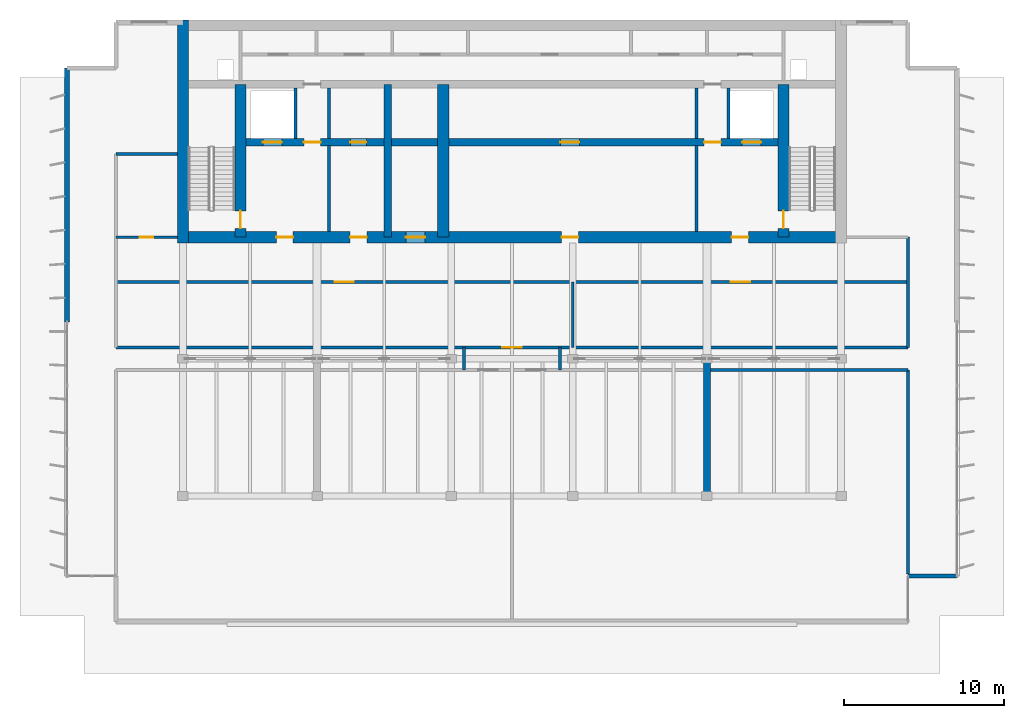
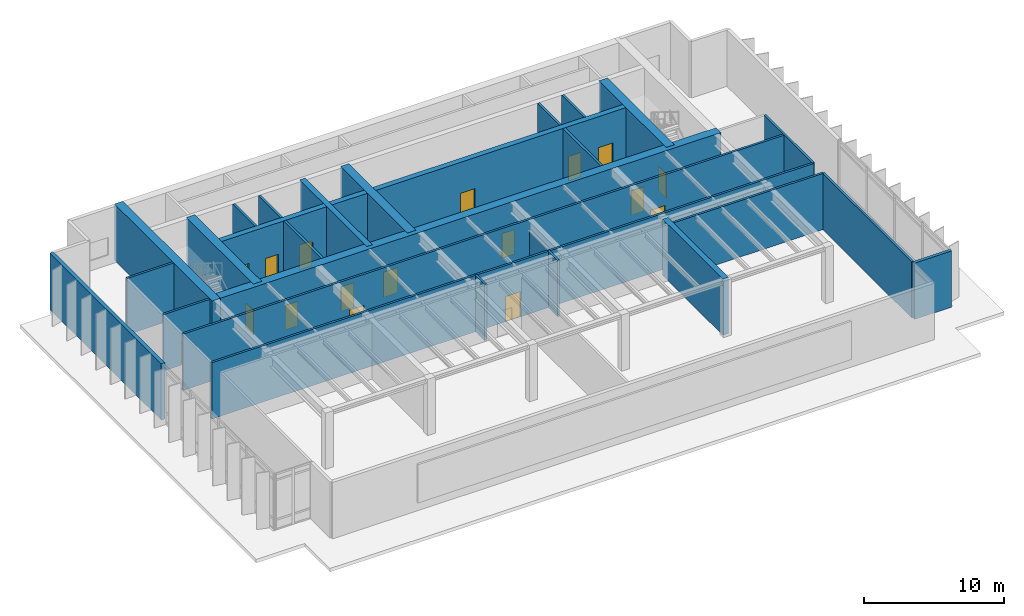
# One storey, part 6 of 12: 26 walls, 17 doors, 17 openings.
"""IFC4 building model written with IfcOpenShell, lengths in metres."""

from ifc_helpers import new_model, si_unit, direction, frame, frame_2d, origin, place, context, subcontext, project, spatial, rectangle, extrude, material, layer, layer_set, type_object, element, fill, save


model = new_model("IFC4")

# Units and contexts
model_context = context("Model", 3, precision=1e-05, world=origin(), true_north=direction((0.0, 1.0)))
body_context = subcontext(model_context, "Body", "Model", "MODEL_VIEW")
ifc_project = project(units=[si_unit("LENGTHUNIT", "METRE"), si_unit("AREAUNIT", "SQUARE_METRE"), si_unit("VOLUMEUNIT", "CUBIC_METRE"), si_unit("PLANEANGLEUNIT", "RADIAN"), si_unit("MASSUNIT", "GRAM", prefix="KILO")], contexts=[model_context])

# Site, building, storey
site_placement = place(None, origin())
site = spatial("IfcSite", under=ifc_project, at=site_placement, CompositionType="ELEMENT")
building_placement = place(site_placement, origin())
building = spatial("IfcBuilding", under=site, at=building_placement, Name="Caelmar Bay Residences", CompositionType="ELEMENT")
storey_placement = place(building_placement, frame((0.0, 0.0, 274.199951171875)))
storey = spatial("IfcBuildingStorey", under=building, at=storey_placement, Name="L77", CompositionType="ELEMENT", Elevation=274.199951171875)

# Wall, openings, doors
ifc_material_1 = material(Name="Concrete f'c 55 MPa (8,000 psi)", Category="concrete")
ifc_layer_1 = layer(ifc_material_1, 0.699951171875)
ifc_layer_set_1 = layer_set([ifc_layer_1], Name="Concrete f'c 55 MPa (8,000 psi)")
wall_type_1 = type_object("IfcWallType", Name="SW-COR-700", PredefinedType="SHEAR", material=ifc_layer_set_1)
wall_1_placement = place(storey_placement, frame((17.949951171875, 37.0, 0.0), z_axis=(0.0, 0.0, 1.0), x_axis=(1.0, 0.0, 0.0)))
wall_1 = element("IfcWall", 1, at=wall_1_placement, inside=storey, type_object=wall_type_1, Name="L77 Rear Core South Shear Wall", PredefinedType="SHEAR", context=body_context, shape_type="SweptSolid", body=[
    extrude(rectangle(XDim=41.900146484375, YDim=0.699951171875, at=frame_2d((20.9501953125, 0.0))), origin(), (0.0, 0.0, 1.0), 4.900146484375),
])
opening_1_placement = place(wall_1_placement, frame((14.3125, 0.0, 0.0)))
opening_1 = element("IfcOpeningElement", 2, at=opening_1_placement, cuts=wall_1, Name="Opening D-L77-103", PredefinedType="OPENING", context=body_context, shape_type="SweptSolid", body=[
    extrude(rectangle(XDim=1.199951171875, YDim=2.199951171875, at=frame_2d((0.60009765625, 1.10009765625))), frame((0.0, 0.35986328125, 0.0), z_axis=(0.0, -1.0, 0.0), x_axis=(1.0, 0.0, 0.0)), (0.0, 0.0, 1.0), 0.719970703125),
])
opening_2_placement = place(wall_1_placement, frame((6.199951171875, 0.0, 0.0)))
opening_2 = element("IfcOpeningElement", 3, at=opening_2_placement, cuts=wall_1, Name="Opening D-L77-104", PredefinedType="OPENING", context=body_context, shape_type="SweptSolid", body=[
    extrude(rectangle(XDim=1.050048828125, YDim=2.14990234375, at=frame_2d((0.52490234375, 1.074951171875))), frame((0.0, 0.35986328125, 0.0), z_axis=(0.0, -1.0, 0.0), x_axis=(1.0, 0.0, 0.0)), (0.0, 0.0, 1.0), 0.719970703125),
])
opening_3_placement = place(wall_1_placement, frame((34.699951171875, 0.0, 0.0)))
opening_3 = element("IfcOpeningElement", 4, at=opening_3_placement, cuts=wall_1, Name="Opening D-L77-107", PredefinedType="OPENING", context=body_context, shape_type="SweptSolid", body=[
    extrude(rectangle(XDim=1.050048828125, YDim=2.14990234375, at=frame_2d((0.52490234375, 1.074951171875))), frame((0.0, 0.35986328125, 0.0), z_axis=(0.0, -1.0, 0.0), x_axis=(1.0, 0.0, 0.0)), (0.0, 0.0, 1.0), 0.719970703125),
])
opening_4_placement = place(wall_1_placement, frame((10.8125, 0.0, 0.0)))
opening_4 = element("IfcOpeningElement", 5, at=opening_4_placement, cuts=wall_1, Name="Opening D-L77-110", PredefinedType="OPENING", context=body_context, shape_type="SweptSolid", body=[
    extrude(rectangle(XDim=1.050048828125, YDim=2.14990234375, at=frame_2d((0.52490234375, 1.074951171875))), frame((0.0, 0.35986328125, 0.0), z_axis=(0.0, -1.0, 0.0), x_axis=(1.0, 0.0, 0.0)), (0.0, 0.0, 1.0), 0.719970703125),
])
opening_5_placement = place(wall_1_placement, frame((24.050048828125, 0.0, 0.0)))
opening_5 = element("IfcOpeningElement", 6, at=opening_5_placement, cuts=wall_1, Name="Opening D-L77-112", PredefinedType="OPENING", context=body_context, shape_type="SweptSolid", body=[
    extrude(rectangle(XDim=1.050048828125, YDim=2.14990234375, at=frame_2d((0.52490234375, 1.074951171875))), frame((0.0, 0.35986328125, 0.0), z_axis=(0.0, -1.0, 0.0), x_axis=(1.0, 0.0, 0.0)), (0.0, 0.0, 1.0), 0.719970703125),
])
ifc_material_2 = material(Name="Fire-rated steel and walnut architectural door assembly", Category="steel")
ifc_layer_2 = layer(ifc_material_2, 0.050048828125)
ifc_layer_set_2 = layer_set([ifc_layer_2], Name="Fire-rated steel and walnut architectural door assembly")
door_type_1 = type_object("IfcDoorType", Name="D-FSAE-1050", OperationType="NOTDEFINED", PredefinedType="DOOR", material=ifc_layer_set_2)
door_1_placement = place(opening_2_placement, origin())
door_1 = element("IfcDoor", 7, at=door_1_placement, inside=storey, type_object=door_type_1, Name="L77 Firefighting Lobby West Door", OperationType="SINGLE_SWING_LEFT", OverallHeight=2.14990234375, OverallWidth=1.050048828125, PredefinedType="DOOR", context=body_context, shape_type="SweptSolid", body=[
    extrude(rectangle(XDim=1.050048828125, YDim=2.14990234375, at=frame_2d((0.52490234375, 1.074951171875))), frame((0.0, 0.02490234375, 0.0), z_axis=(0.0, -1.0, 0.0), x_axis=(1.0, 0.0, 0.0)), (0.0, 0.0, 1.0), 0.050048828125),
])
fill(opening_2, door_1)
door_2_placement = place(opening_3_placement, origin())
door_2 = element("IfcDoor", 8, at=door_2_placement, inside=storey, type_object=door_type_1, Name="L77 Firefighting Lobby East Door", OperationType="SINGLE_SWING_RIGHT", OverallHeight=2.14990234375, OverallWidth=1.050048828125, PredefinedType="DOOR", context=body_context, shape_type="SweptSolid", body=[
    extrude(rectangle(XDim=1.050048828125, YDim=2.14990234375, at=frame_2d((0.52490234375, 1.074951171875))), frame((0.0, 0.02490234375, 0.0), z_axis=(0.0, -1.0, 0.0), x_axis=(1.0, 0.0, 0.0)), (0.0, 0.0, 1.0), 0.050048828125),
])
fill(opening_3, door_2)
door_3_placement = place(opening_4_placement, origin())
door_3 = element("IfcDoor", 9, at=door_3_placement, inside=storey, type_object=door_type_1, Name="L77 West Lift Lobby Door", OperationType="SINGLE_SWING_LEFT", OverallHeight=2.14990234375, OverallWidth=1.050048828125, PredefinedType="DOOR", context=body_context, shape_type="SweptSolid", body=[
    extrude(rectangle(XDim=1.050048828125, YDim=2.14990234375, at=frame_2d((0.52490234375, 1.074951171875))), frame((0.0, 0.02490234375, 0.0), z_axis=(0.0, -1.0, 0.0), x_axis=(1.0, 0.0, 0.0)), (0.0, 0.0, 1.0), 0.050048828125),
])
fill(opening_4, door_3)
door_4_placement = place(opening_5_placement, origin())
door_4 = element("IfcDoor", 10, at=door_4_placement, inside=storey, type_object=door_type_1, Name="L77 Passenger Lift Lobby Door", OperationType="SINGLE_SWING_LEFT", OverallHeight=2.14990234375, OverallWidth=1.050048828125, PredefinedType="DOOR", context=body_context, shape_type="SweptSolid", body=[
    extrude(rectangle(XDim=1.050048828125, YDim=2.14990234375, at=frame_2d((0.52490234375, 1.074951171875))), frame((0.0, 0.02490234375, 0.0), z_axis=(0.0, -1.0, 0.0), x_axis=(1.0, 0.0, 0.0)), (0.0, 0.0, 1.0), 0.050048828125),
])
fill(opening_5, door_4)
ifc_layer_3 = layer(ifc_material_2, 0.050048828125)
ifc_layer_set_3 = layer_set([ifc_layer_3], Name="Fire-rated steel and walnut architectural door assembly")
door_type_2 = type_object("IfcDoorType", Name="D-PLANT-1200", OperationType="NOTDEFINED", PredefinedType="DOOR", material=ifc_layer_set_3)
door_5_placement = place(opening_1_placement, origin())
door_5 = element("IfcDoor", 11, at=door_5_placement, inside=storey, type_object=door_type_2, Name="L77 Crown Pressurisation Fan Room Door", OperationType="SINGLE_SWING_RIGHT", OverallHeight=2.199951171875, OverallWidth=1.199951171875, PredefinedType="DOOR", context=body_context, shape_type="SweptSolid", body=[
    extrude(rectangle(XDim=1.199951171875, YDim=2.199951171875, at=frame_2d((0.60009765625, 1.10009765625))), frame((0.0, 0.02490234375, 0.0), z_axis=(0.0, -1.0, 0.0), x_axis=(1.0, 0.0, 0.0)), (0.0, 0.0, 1.0), 0.050048828125),
])
fill(opening_1, door_5)

# Wall
wall_2_placement = place(storey_placement, frame((18.300048828125, 36.64990234375, 0.0), z_axis=(0.0, 0.0, 1.0), x_axis=(0.0, 1.0, 0.0)))
element("IfcWall", 12, at=wall_2_placement, inside=storey, type_object=wall_type_1, Name="L77 Rear Core West Shear Wall", PredefinedType="SHEAR", context=body_context, shape_type="SweptSolid", body=[
    extrude(rectangle(XDim=13.9501953125, YDim=0.699951171875, at=frame_2d((6.97509765625, 0.0))), origin(), (0.0, 0.0, 1.0), 4.900146484375),
])

# Wall, opening, door
wall_3_placement = place(storey_placement, frame((21.89990234375, 37.0, 0.0), z_axis=(0.0, 0.0, 1.0), x_axis=(0.0, 1.0, 0.0)))
wall_3 = element("IfcWall", 13, at=wall_3_placement, inside=storey, type_object=wall_type_1, Name="L77 Core Structural Web Wall ST1E", PredefinedType="SHEAR", context=body_context, shape_type="SweptSolid", body=[
    extrude(rectangle(XDim=9.574951171875, YDim=0.699951171875, at=frame_2d((4.78759765625, 0.0))), origin(), (0.0, 0.0, 1.0), 4.900146484375),
])
opening_6_placement = place(wall_3_placement, frame((0.550048828125, 0.0, 0.0)))
opening_6 = element("IfcOpeningElement", 14, at=opening_6_placement, cuts=wall_3, Name="Opening D-L77-105", PredefinedType="OPENING", context=body_context, shape_type="SweptSolid", body=[
    extrude(rectangle(XDim=1.10009765625, YDim=2.14990234375, at=frame_2d((0.550048828125, 1.074951171875))), frame((0.0, 0.35986328125, 0.0), z_axis=(0.0, -1.0, 0.0), x_axis=(1.0, 0.0, 0.0)), (0.0, 0.0, 1.0), 0.719970703125),
])
ifc_layer_4 = layer(ifc_material_2, 0.050048828125)
ifc_layer_set_4 = layer_set([ifc_layer_4], Name="Fire-rated steel and walnut architectural door assembly")
door_type_3 = type_object("IfcDoorType", Name="D-STAIR-1100", OperationType="NOTDEFINED", PredefinedType="DOOR", material=ifc_layer_set_4)
door_6_placement = place(opening_6_placement, origin())
door_6 = element("IfcDoor", 15, at=door_6_placement, inside=storey, type_object=door_type_3, Name="L77 Firefighting Lobby West Door", OperationType="SINGLE_SWING_RIGHT", OverallHeight=2.14990234375, OverallWidth=1.10009765625, PredefinedType="DOOR", context=body_context, shape_type="SweptSolid", body=[
    extrude(rectangle(XDim=1.10009765625, YDim=2.14990234375, at=frame_2d((0.550048828125, 1.074951171875))), frame((0.0, 0.02490234375, 0.0), z_axis=(0.0, -1.0, 0.0), x_axis=(1.0, 0.0, 0.0)), (0.0, 0.0, 1.0), 0.050048828125),
])
fill(opening_6, door_6)

wall_4_placement = place(storey_placement, frame((55.89990234375, 37.0, 0.0), z_axis=(0.0, 0.0, 1.0), x_axis=(0.0, 1.0, 0.0)))
wall_4 = element("IfcWall", 16, at=wall_4_placement, inside=storey, type_object=wall_type_1, Name="L77 Core Structural Web Wall ST2W", PredefinedType="SHEAR", context=body_context, shape_type="SweptSolid", body=[
    extrude(rectangle(XDim=9.574951171875, YDim=0.699951171875, at=frame_2d((4.78759765625, 0.0))), origin(), (0.0, 0.0, 1.0), 4.900146484375),
])
opening_7_placement = place(wall_4_placement, frame((0.550048828125, 0.0, 0.0)))
opening_7 = element("IfcOpeningElement", 17, at=opening_7_placement, cuts=wall_4, Name="Opening D-L77-108", PredefinedType="OPENING", context=body_context, shape_type="SweptSolid", body=[
    extrude(rectangle(XDim=1.10009765625, YDim=2.14990234375, at=frame_2d((0.550048828125, 1.074951171875))), frame((0.0, 0.35986328125, 0.0), z_axis=(0.0, -1.0, 0.0), x_axis=(1.0, 0.0, 0.0)), (0.0, 0.0, 1.0), 0.719970703125),
])
door_7_placement = place(opening_7_placement, origin())
door_7 = element("IfcDoor", 18, at=door_7_placement, inside=storey, type_object=door_type_3, Name="L77 Firefighting Lobby East Door", OperationType="SINGLE_SWING_LEFT", OverallHeight=2.14990234375, OverallWidth=1.10009765625, PredefinedType="DOOR", context=body_context, shape_type="SweptSolid", body=[
    extrude(rectangle(XDim=1.10009765625, YDim=2.14990234375, at=frame_2d((0.550048828125, 1.074951171875))), frame((0.0, 0.02490234375, 0.0), z_axis=(0.0, -1.0, 0.0), x_axis=(1.0, 0.0, 0.0)), (0.0, 0.0, 1.0), 0.050048828125),
])
fill(opening_7, door_7)

# Walls
wall_5_placement = place(storey_placement, frame((34.60009765625, 37.0, 0.0), z_axis=(0.0, 0.0, 1.0), x_axis=(0.0, 1.0, 0.0)))
element("IfcWall", 19, at=wall_5_placement, inside=storey, type_object=wall_type_1, Name="L77 Core Structural Web Wall ST3E", PredefinedType="SHEAR", context=body_context, shape_type="SweptSolid", body=[
    extrude(rectangle(XDim=9.574951171875, YDim=0.699951171875, at=frame_2d((4.78759765625, 0.0))), origin(), (0.0, 0.0, 1.0), 4.900146484375),
])
ifc_material_3 = material(Name="Concrete f'c 70 MPa (10,000 psi)", Category="concrete")
ifc_layer_5 = layer(ifc_material_3, 0.449951171875)
ifc_layer_set_5 = layer_set([ifc_layer_5], Name="Concrete f'c 70 MPa (10,000 psi)")
wall_type_2 = type_object("IfcWallType", Name="SW-WEB-450", PredefinedType="SHEAR", material=ifc_layer_set_5)
wall_6_placement = place(storey_placement, frame((31.125, 37.0, 0.0), z_axis=(0.0, 0.0, 1.0), x_axis=(0.0, 1.0, 0.0)))
element("IfcWall", 20, at=wall_6_placement, inside=storey, type_object=wall_type_2, Name="L77 Core Structural Web Wall ST3W", PredefinedType="SHEAR", context=body_context, shape_type="SweptSolid", body=[
    extrude(rectangle(XDim=9.574951171875, YDim=0.449951171875, at=frame_2d((4.78759765625, 0.0))), origin(), (0.0, 0.0, 1.0), 4.900146484375),
])

# Wall, openings, doors
wall_7_placement = place(storey_placement, frame((22.25, 42.949951171875, 0.0), z_axis=(0.0, 0.0, 1.0), x_axis=(1.0, 0.0, 0.0)))
wall_7 = element("IfcWall", 21, at=wall_7_placement, inside=storey, type_object=wall_type_2, Name="L77 Core Structural Web Wall LFR", PredefinedType="SHEAR", context=body_context, shape_type="SweptSolid", body=[
    extrude(rectangle(XDim=33.300048828125, YDim=0.449951171875, at=frame_2d((16.64990234375, 0.0))), origin(), (0.0, 0.0, 1.0), 4.900146484375),
])
opening_8_placement = place(wall_7_placement, frame((1.050048828125, 0.0, 0.0)))
opening_8 = element("IfcOpeningElement", 22, at=opening_8_placement, cuts=wall_7, Name="Opening LD2", PredefinedType="OPENING", context=body_context, shape_type="SweptSolid", body=[
    extrude(rectangle(XDim=1.199951171875, YDim=2.199951171875, at=frame_2d((0.60009765625, 1.10009765625))), frame((0.0, 0.23486328125, 0.0), z_axis=(0.0, -1.0, 0.0), x_axis=(1.0, 0.0, 0.0)), (0.0, 0.0, 1.0), 0.469970703125),
])
opening_9_placement = place(wall_7_placement, frame((31.050048828125, 0.0, 0.0)))
opening_9 = element("IfcOpeningElement", 23, at=opening_9_placement, cuts=wall_7, Name="Opening LD2", PredefinedType="OPENING", context=body_context, shape_type="SweptSolid", body=[
    extrude(rectangle(XDim=1.199951171875, YDim=2.199951171875, at=frame_2d((0.60009765625, 1.10009765625))), frame((0.0, 0.23486328125, 0.0), z_axis=(0.0, -1.0, 0.0), x_axis=(1.0, 0.0, 0.0)), (0.0, 0.0, 1.0), 0.469970703125),
])
opening_10_placement = place(wall_7_placement, frame((3.625, 0.0, 0.0)))
opening_10 = element("IfcOpeningElement", 24, at=opening_10_placement, cuts=wall_7, Name="Opening D-L77-106", PredefinedType="OPENING", context=body_context, shape_type="SweptSolid", body=[
    extrude(rectangle(XDim=1.050048828125, YDim=2.14990234375, at=frame_2d((0.52490234375, 1.074951171875))), frame((0.0, 0.23486328125, 0.0), z_axis=(0.0, -1.0, 0.0), x_axis=(1.0, 0.0, 0.0)), (0.0, 0.0, 1.0), 0.469970703125),
])
opening_11_placement = place(wall_7_placement, frame((28.675048828125, 0.0, 0.0)))
opening_11 = element("IfcOpeningElement", 25, at=opening_11_placement, cuts=wall_7, Name="Opening D-L77-109", PredefinedType="OPENING", context=body_context, shape_type="SweptSolid", body=[
    extrude(rectangle(XDim=1.050048828125, YDim=2.14990234375, at=frame_2d((0.52490234375, 1.074951171875))), frame((0.0, 0.23486328125, 0.0), z_axis=(0.0, -1.0, 0.0), x_axis=(1.0, 0.0, 0.0)), (0.0, 0.0, 1.0), 0.469970703125),
])
opening_12_placement = place(wall_7_placement, frame((6.53759765625, 0.0, 0.0)))
opening_12 = element("IfcOpeningElement", 26, at=opening_12_placement, cuts=wall_7, Name="Opening D-L77-111", PredefinedType="OPENING", context=body_context, shape_type="SweptSolid", body=[
    extrude(rectangle(XDim=1.0, YDim=2.199951171875, at=frame_2d((0.5, 1.10009765625))), frame((0.0, 0.23486328125, 0.0), z_axis=(0.0, -1.0, 0.0), x_axis=(1.0, 0.0, 0.0)), (0.0, 0.0, 1.0), 0.469970703125),
])
opening_13_placement = place(wall_7_placement, frame((19.675048828125, 0.0, 0.0)))
opening_13 = element("IfcOpeningElement", 27, at=opening_13_placement, cuts=wall_7, Name="Opening D-L77-113", PredefinedType="OPENING", context=body_context, shape_type="SweptSolid", body=[
    extrude(rectangle(XDim=1.199951171875, YDim=2.199951171875, at=frame_2d((0.60009765625, 1.10009765625))), frame((0.0, 0.23486328125, 0.0), z_axis=(0.0, -1.0, 0.0), x_axis=(1.0, 0.0, 0.0)), (0.0, 0.0, 1.0), 0.469970703125),
])
door_8_placement = place(opening_10_placement, origin())
door_8 = element("IfcDoor", 28, at=door_8_placement, inside=storey, type_object=door_type_1, Name="L77 Firefighting Lobby West Door", OperationType="SINGLE_SWING_LEFT", OverallHeight=2.14990234375, OverallWidth=1.050048828125, PredefinedType="DOOR", context=body_context, shape_type="SweptSolid", body=[
    extrude(rectangle(XDim=1.050048828125, YDim=2.14990234375, at=frame_2d((0.52490234375, 1.074951171875))), frame((0.0, 0.02490234375, 0.0), z_axis=(0.0, -1.0, 0.0), x_axis=(1.0, 0.0, 0.0)), (0.0, 0.0, 1.0), 0.050048828125),
])
fill(opening_10, door_8)
door_9_placement = place(opening_11_placement, origin())
door_9 = element("IfcDoor", 29, at=door_9_placement, inside=storey, type_object=door_type_1, Name="L77 Firefighting Lobby East Door", OperationType="SINGLE_SWING_RIGHT", OverallHeight=2.14990234375, OverallWidth=1.050048828125, PredefinedType="DOOR", context=body_context, shape_type="SweptSolid", body=[
    extrude(rectangle(XDim=1.050048828125, YDim=2.14990234375, at=frame_2d((0.52490234375, 1.074951171875))), frame((0.0, 0.02490234375, 0.0), z_axis=(0.0, -1.0, 0.0), x_axis=(1.0, 0.0, 0.0)), (0.0, 0.0, 1.0), 0.050048828125),
])
fill(opening_11, door_9)
ifc_material_4 = material(Name="Brushed stainless-steel FSAE sliding landing door", Category="steel")
ifc_layer_6 = layer(ifc_material_4, 0.050048828125)
ifc_layer_set_6 = layer_set([ifc_layer_6], Name="Brushed stainless-steel FSAE sliding landing door")
door_type_4 = type_object("IfcDoorType", Name="D-LND-1200", OperationType="DOUBLE_DOOR_SLIDING", PredefinedType="DOOR", material=ifc_layer_set_6)
door_10_placement = place(opening_8_placement, origin())
door_10 = element("IfcDoor", 30, at=door_10_placement, inside=storey, type_object=door_type_4, Name="L77 LF1 Sliding Landing Door", OperationType="DOUBLE_DOOR_SLIDING", OverallHeight=2.199951171875, OverallWidth=1.199951171875, PredefinedType="DOOR", context=body_context, shape_type="SweptSolid", body=[
    extrude(rectangle(XDim=1.199951171875, YDim=2.199951171875, at=frame_2d((0.60009765625, 1.10009765625))), frame((0.0, 0.02490234375, 0.0), z_axis=(0.0, -1.0, 0.0), x_axis=(1.0, 0.0, 0.0)), (0.0, 0.0, 1.0), 0.050048828125),
])
fill(opening_8, door_10)
door_11_placement = place(opening_9_placement, origin())
door_11 = element("IfcDoor", 31, at=door_11_placement, inside=storey, type_object=door_type_4, Name="L77 LF2 Sliding Landing Door", OperationType="DOUBLE_DOOR_SLIDING", OverallHeight=2.199951171875, OverallWidth=1.199951171875, PredefinedType="DOOR", context=body_context, shape_type="SweptSolid", body=[
    extrude(rectangle(XDim=1.199951171875, YDim=2.199951171875, at=frame_2d((0.60009765625, 1.10009765625))), frame((0.0, 0.02490234375, 0.0), z_axis=(0.0, -1.0, 0.0), x_axis=(1.0, 0.0, 0.0)), (0.0, 0.0, 1.0), 0.050048828125),
])
fill(opening_9, door_11)
door_12_placement = place(opening_13_placement, origin())
door_12 = element("IfcDoor", 32, at=door_12_placement, inside=storey, type_object=door_type_2, Name="L77 Lift Machine Plant Room Door", OperationType="SINGLE_SWING_RIGHT", OverallHeight=2.199951171875, OverallWidth=1.199951171875, PredefinedType="DOOR", context=body_context, shape_type="SweptSolid", body=[
    extrude(rectangle(XDim=1.199951171875, YDim=2.199951171875, at=frame_2d((0.60009765625, 1.10009765625))), frame((0.0, 0.02490234375, 0.0), z_axis=(0.0, -1.0, 0.0), x_axis=(1.0, 0.0, 0.0)), (0.0, 0.0, 1.0), 0.050048828125),
])
fill(opening_13, door_12)
ifc_layer_7 = layer(ifc_material_2, 0.050048828125)
ifc_layer_set_7 = layer_set([ifc_layer_7], Name="Fire-rated steel and walnut architectural door assembly")
door_type_5 = type_object("IfcDoorType", Name="D-UNIT-1000", OperationType="NOTDEFINED", PredefinedType="DOOR", material=ifc_layer_set_7)
door_13_placement = place(opening_12_placement, origin())
door_13 = element("IfcDoor", 33, at=door_13_placement, inside=storey, type_object=door_type_5, Name="L77 Core Equipment Closet Door", OperationType="SINGLE_SWING_RIGHT", OverallHeight=2.199951171875, OverallWidth=1.0, PredefinedType="DOOR", context=body_context, shape_type="SweptSolid", body=[
    extrude(rectangle(XDim=1.0, YDim=2.199951171875, at=frame_2d((0.5, 1.10009765625))), frame((0.0, 0.02490234375, 0.0), z_axis=(0.0, -1.0, 0.0), x_axis=(1.0, 0.0, 0.0)), (0.0, 0.0, 1.0), 0.050048828125),
])
fill(opening_12, door_13)

# Walls
ifc_layer_8 = layer(ifc_material_1, 0.449951171875)
ifc_layer_set_8 = layer_set([ifc_layer_8], Name="Concrete f'c 55 MPa (8,000 psi)")
wall_type_3 = type_object("IfcWallType", Name="SW-XSLB-450", PredefinedType="SHEAR", material=ifc_layer_set_8)
wall_8_placement = place(storey_placement, frame((51.10009765625, 20.800048828125, 0.0), z_axis=(0.0, 0.0, 1.0), x_axis=(0.0, 1.0, 0.0)))
element("IfcWall", 34, at=wall_8_placement, inside=storey, type_object=wall_type_3, Name="L77 Transverse Cross-Slab Shear Wall E8", PredefinedType="SHEAR", context=body_context, shape_type="SweptSolid", body=[
    extrude(rectangle(XDim=8.599853515625, YDim=0.449951171875, at=frame_2d((4.2998046875, 0.0))), origin(), (0.0, 0.0, 1.0), 4.900146484375),
])
ifc_material_5 = material(Name="Double-stud acoustic fire-rated gypsum partition 180 mm")
ifc_layer_9 = layer(ifc_material_5, 0.179931640625)
ifc_layer_set_9 = layer_set([ifc_layer_9], Name="Double-stud acoustic fire-rated gypsum partition 180 mm")
wall_type_4 = type_object("IfcWallType", Name="W-COR-200", PredefinedType="PARTITIONING", material=ifc_layer_set_9)
wall_9_placement = place(storey_placement, frame((27.449951171875, 43.169921875, 0.0), z_axis=(0.0, 0.0, 1.0), x_axis=(0.0, 1.0, 0.0)))
element("IfcWall", 35, at=wall_9_placement, inside=storey, type_object=wall_type_4, Name="L77 Partition Wall V007", PredefinedType="PARTITIONING", context=body_context, shape_type="SweptSolid", body=[
    extrude(rectangle(XDim=3.18505859375, YDim=0.179931640625, at=frame_2d((1.592529296875, 0.0))), origin(), (0.0, 0.0, 1.0), 4.900146484375),
])
for number, where, z_axis, x_axis, name in (
    (36, (35.89990234375, 28.699951171875, 0.0), (0.0, 0.0, 1.0), (0.0, 1.0, 0.0), "L77 Partition Wall V009"),
    (37, (41.89990234375, 28.699951171875, 0.0), (0.0, 0.0, 1.0), (0.0, 1.0, 0.0), "L77 Partition Wall V012"),
):
    element("IfcWall", number, at=place(storey_placement, frame(where, z_axis=z_axis, x_axis=x_axis)), inside=storey, type_object=wall_type_4, Name=name, PredefinedType="PARTITIONING", context=body_context, shape_type="SweptSolid", body=[
        extrude(rectangle(XDim=1.400146484375, YDim=0.179931640625, at=frame_2d((0.7001953125, 0.0))), origin(), (0.0, 0.0, 1.0), 4.900146484375),
    ])
wall_10_placement = place(storey_placement, frame((42.699951171875, 30.10009765625, 0.0), z_axis=(0.0, 0.0, 1.0), x_axis=(0.0, 1.0, 0.0)))
element("IfcWall", 38, at=wall_10_placement, inside=storey, type_object=wall_type_4, Name="L77 Partition Wall V013", PredefinedType="PARTITIONING", context=body_context, shape_type="SweptSolid", body=[
    extrude(rectangle(XDim=4.099853515625, YDim=0.179931640625, at=frame_2d((2.0498046875, 0.0))), origin(), (0.0, 0.0, 1.0), 3.9599609375),
])
wall_11_placement = place(storey_placement, frame((50.449951171875, 43.169921875, 0.0), z_axis=(0.0, 0.0, 1.0), x_axis=(0.0, 1.0, 0.0)))
element("IfcWall", 39, at=wall_11_placement, inside=storey, type_object=wall_type_4, Name="L77 Partition Wall V016", PredefinedType="PARTITIONING", context=body_context, shape_type="SweptSolid", body=[
    extrude(rectangle(XDim=3.18505859375, YDim=0.179931640625, at=frame_2d((1.592529296875, 0.0))), origin(), (0.0, 0.0, 1.0), 4.900146484375),
])
wall_12_placement = place(storey_placement, frame((63.699951171875, 15.919921875, 0.0), z_axis=(0.0, 0.0, 1.0), x_axis=(0.0, 1.0, 0.0)))
element("IfcWall", 40, at=wall_12_placement, inside=storey, type_object=wall_type_4, Name="L77 Partition Wall V020", PredefinedType="PARTITIONING", context=body_context, shape_type="SweptSolid", body=[
    extrude(rectangle(XDim=12.780029296875, YDim=0.179931640625, at=frame_2d((6.39013671875, 0.0))), origin(), (0.0, 0.0, 1.0), 4.900146484375),
])
wall_13_placement = place(storey_placement, frame((63.699951171875, 30.10009765625, 0.0), z_axis=(0.0, 0.0, 1.0), x_axis=(0.0, 1.0, 0.0)))
element("IfcWall", 41, at=wall_13_placement, inside=storey, type_object=wall_type_4, Name="L77 Partition Wall V021", PredefinedType="PARTITIONING", context=body_context, shape_type="SweptSolid", body=[
    extrude(rectangle(XDim=6.89990234375, YDim=0.179931640625, at=frame_2d((3.449951171875, 0.0))), origin(), (0.0, 0.0, 1.0), 4.900146484375),
])
wall_14_placement = place(storey_placement, frame((51.320068359375, 28.699951171875, 0.0), z_axis=(0.0, 0.0, 1.0), x_axis=(1.0, 0.0, 0.0)))
element("IfcWall", 42, at=wall_14_placement, inside=storey, type_object=wall_type_4, Name="L77 Partition Wall H024", PredefinedType="PARTITIONING", context=body_context, shape_type="SweptSolid", body=[
    extrude(rectangle(XDim=12.3798828125, YDim=0.179931640625, at=frame_2d((6.18994140625, 0.0))), origin(), (0.0, 0.0, 1.0), 4.900146484375),
])

# Wall, opening, door
wall_15_placement = place(storey_placement, frame((14.10009765625, 30.10009765625, 0.0), z_axis=(0.0, 0.0, 1.0), x_axis=(1.0, 0.0, 0.0)))
wall_15 = element("IfcWall", 43, at=wall_15_placement, inside=storey, type_object=wall_type_4, Name="L77 Partition Wall H025", PredefinedType="PARTITIONING", context=body_context, shape_type="SweptSolid", body=[
    extrude(rectangle(XDim=49.599853515625, YDim=0.179931640625, at=frame_2d((24.7998046875, 0.0))), origin(), (0.0, 0.0, 1.0), 4.900146484375),
])
opening_14_placement = place(wall_15_placement, frame((24.199951171875, 0.0, 0.0)))
opening_14 = element("IfcOpeningElement", 44, at=opening_14_placement, cuts=wall_15, Name="Opening D-L77-124", PredefinedType="OPENING", context=body_context, shape_type="SweptSolid", body=[
    extrude(rectangle(XDim=1.199951171875, YDim=2.199951171875, at=frame_2d((0.60009765625, 1.10009765625))), frame((0.0, 0.099853515625, 0.0), z_axis=(0.0, -1.0, 0.0), x_axis=(1.0, 0.0, 0.0)), (0.0, 0.0, 1.0), 0.199951171875),
])
door_14_placement = place(opening_14_placement, origin())
door_14 = element("IfcDoor", 45, at=door_14_placement, inside=storey, type_object=door_type_2, Name="L77 Crown Duct Plant Room L77 Door", OperationType="SINGLE_SWING_LEFT", OverallHeight=2.199951171875, OverallWidth=1.199951171875, PredefinedType="DOOR", context=body_context, shape_type="SweptSolid", body=[
    extrude(rectangle(XDim=1.199951171875, YDim=2.199951171875, at=frame_2d((0.60009765625, 1.10009765625))), frame((0.0, 0.02490234375, 0.0), z_axis=(0.0, -1.0, 0.0), x_axis=(1.0, 0.0, 0.0)), (0.0, 0.0, 1.0), 0.050048828125),
])
fill(opening_14, door_14)

# Wall, openings, doors
wall_16_placement = place(storey_placement, frame((14.10009765625, 34.199951171875, 0.0), z_axis=(0.0, 0.0, 1.0), x_axis=(1.0, 0.0, 0.0)))
wall_16 = element("IfcWall", 46, at=wall_16_placement, inside=storey, type_object=wall_type_4, Name="L77 Partition Wall H026", PredefinedType="PARTITIONING", context=body_context, shape_type="SweptSolid", body=[
    extrude(rectangle(XDim=49.599853515625, YDim=0.179931640625, at=frame_2d((24.7998046875, 0.0))), origin(), (0.0, 0.0, 1.0), 4.900146484375),
])
opening_15_placement = place(wall_16_placement, frame((13.699951171875, 0.0, 0.0)))
opening_15 = element("IfcOpeningElement", 47, at=opening_15_placement, cuts=wall_16, Name="Opening D-L77-122", PredefinedType="OPENING", context=body_context, shape_type="SweptSolid", body=[
    extrude(rectangle(XDim=1.199951171875, YDim=2.199951171875, at=frame_2d((0.60009765625, 1.10009765625))), frame((0.0, 0.099853515625, 0.0), z_axis=(0.0, -1.0, 0.0), x_axis=(1.0, 0.0, 0.0)), (0.0, 0.0, 1.0), 0.199951171875),
])
opening_16_placement = place(wall_16_placement, frame((38.5, 0.0, 0.0)))
opening_16 = element("IfcOpeningElement", 48, at=opening_16_placement, cuts=wall_16, Name="Opening D-L77-123", PredefinedType="OPENING", context=body_context, shape_type="SweptSolid", body=[
    extrude(rectangle(XDim=1.199951171875, YDim=2.199951171875, at=frame_2d((0.60009765625, 1.10009765625))), frame((0.0, 0.099853515625, 0.0), z_axis=(0.0, -1.0, 0.0), x_axis=(1.0, 0.0, 0.0)), (0.0, 0.0, 1.0), 0.199951171875),
])
door_15_placement = place(opening_15_placement, origin())
door_15 = element("IfcDoor", 49, at=door_15_placement, inside=storey, type_object=door_type_2, Name="L77 Crown Ventilation Plant Room L77 Door", OperationType="SINGLE_SWING_LEFT", OverallHeight=2.199951171875, OverallWidth=1.199951171875, PredefinedType="DOOR", context=body_context, shape_type="SweptSolid", body=[
    extrude(rectangle(XDim=1.199951171875, YDim=2.199951171875, at=frame_2d((0.60009765625, 1.10009765625))), frame((0.0, 0.02490234375, 0.0), z_axis=(0.0, -1.0, 0.0), x_axis=(1.0, 0.0, 0.0)), (0.0, 0.0, 1.0), 0.050048828125),
])
fill(opening_15, door_15)
door_16_placement = place(opening_16_placement, origin())
door_16 = element("IfcDoor", 50, at=door_16_placement, inside=storey, type_object=door_type_2, Name="L77 Crown Standby Controls Plant Room L77 Door", OperationType="SINGLE_SWING_RIGHT", OverallHeight=2.199951171875, OverallWidth=1.199951171875, PredefinedType="DOOR", context=body_context, shape_type="SweptSolid", body=[
    extrude(rectangle(XDim=1.199951171875, YDim=2.199951171875, at=frame_2d((0.60009765625, 1.10009765625))), frame((0.0, 0.02490234375, 0.0), z_axis=(0.0, -1.0, 0.0), x_axis=(1.0, 0.0, 0.0)), (0.0, 0.0, 1.0), 0.050048828125),
])
fill(opening_16, door_16)

# Wall, opening, door
wall_17_placement = place(storey_placement, frame((14.10009765625, 37.0, 0.0), z_axis=(0.0, 0.0, 1.0), x_axis=(1.0, 0.0, 0.0)))
wall_17 = element("IfcWall", 51, at=wall_17_placement, inside=storey, type_object=wall_type_4, Name="L77 Partition Wall H027", PredefinedType="PARTITIONING", context=body_context, shape_type="SweptSolid", body=[
    extrude(rectangle(XDim=3.844970703125, YDim=0.179931640625, at=frame_2d((1.92236328125, 0.0))), origin(), (0.0, 0.0, 1.0), 4.900146484375),
])
opening_17_placement = place(wall_17_placement, frame((1.49755859375, 0.0, 0.0)))
opening_17 = element("IfcOpeningElement", 52, at=opening_17_placement, cuts=wall_17, Name="Opening D-L77-127", PredefinedType="OPENING", context=body_context, shape_type="SweptSolid", body=[
    extrude(rectangle(XDim=0.85009765625, YDim=2.10009765625, at=frame_2d((0.425048828125, 1.050048828125))), frame((0.0, 0.099853515625, 0.0), z_axis=(0.0, -1.0, 0.0), x_axis=(1.0, 0.0, 0.0)), (0.0, 0.0, 1.0), 0.199951171875),
])
ifc_material_6 = material(Name="Solid walnut timber interior door leaf and frame", Category="wood")
ifc_layer_10 = layer(ifc_material_6, 0.050048828125)
ifc_layer_set_10 = layer_set([ifc_layer_10], Name="Solid walnut timber interior door leaf and frame")
door_type_6 = type_object("IfcDoorType", Name="D-BATH-850", OperationType="NOTDEFINED", PredefinedType="DOOR", material=ifc_layer_set_10)
door_17_placement = place(opening_17_placement, origin())
door_17 = element("IfcDoor", 53, at=door_17_placement, inside=storey, type_object=door_type_6, Name="L77 Crown Accessible WC Door", OperationType="SINGLE_SWING_RIGHT", OverallHeight=2.10009765625, OverallWidth=0.85009765625, PredefinedType="DOOR", context=body_context, shape_type="SweptSolid", body=[
    extrude(rectangle(XDim=0.85009765625, YDim=2.10009765625, at=frame_2d((0.425048828125, 1.050048828125))), frame((0.0, 0.02490234375, 0.0), z_axis=(0.0, -1.0, 0.0), x_axis=(1.0, 0.0, 0.0)), (0.0, 0.0, 1.0), 0.050048828125),
])
fill(opening_17, door_17)

# Walls
wall_18_placement = place(storey_placement, frame((14.10009765625, 42.199951171875, 0.0), z_axis=(0.0, 0.0, 1.0), x_axis=(1.0, 0.0, 0.0)))
element("IfcWall", 54, at=wall_18_placement, inside=storey, type_object=wall_type_4, Name="L77 Partition Wall H029", PredefinedType="PARTITIONING", context=body_context, shape_type="SweptSolid", body=[
    extrude(rectangle(XDim=3.85498046875, YDim=0.179931640625, at=frame_2d((1.927490234375, 0.0))), origin(), (0.0, 0.0, 1.0), 4.900146484375),
])
ifc_material_7 = material(Name="Precast concrete f'c 40 MPa (6,000 psi)", Category="concrete")
ifc_layer_11 = layer(ifc_material_7, 0.25)
ifc_layer_set_11 = layer_set([ifc_layer_11], Name="Precast concrete f'c 40 MPa (6,000 psi)")
wall_type_5 = type_object("IfcWallType", Name="W-EXT-250", PredefinedType="ELEMENTEDWALL", material=ifc_layer_set_11)
wall_19_placement = place(storey_placement, frame((63.699951171875, 15.800048828125, 0.0), z_axis=(0.0, 0.0, 1.0), x_axis=(1.0, 0.0, 0.0)))
element("IfcWall", 55, at=wall_19_placement, inside=storey, type_object=wall_type_5, Name="L77 SE Notch Return Wall", PredefinedType="ELEMENTEDWALL", context=body_context, shape_type="SweptSolid", body=[
    extrude(rectangle(XDim=3.050048828125, YDim=0.25, at=frame_2d((1.52490234375, 0.0))), origin(), (0.0, 0.0, 1.0), 4.900146484375),
])
ifc_layer_12 = layer(ifc_material_7, 0.300048828125)
ifc_layer_set_12 = layer_set([ifc_layer_12], Name="Precast concrete f'c 40 MPa (6,000 psi)")
wall_type_6 = type_object("IfcWallType", Name="W-EXT-300", PredefinedType="STANDARD", material=ifc_layer_set_12)
wall_20_placement = place(storey_placement, frame((11.050048828125, 31.699951171875, 0.0), z_axis=(0.0, 0.0, 1.0), x_axis=(0.0, 1.0, 0.0)))
element("IfcWall", 56, at=wall_20_placement, inside=storey, type_object=wall_type_6, Name="L77 West Rear Exterior Wall", PredefinedType="STANDARD", context=body_context, shape_type="SweptSolid", body=[
    extrude(rectangle(XDim=15.900146484375, YDim=0.300048828125, at=frame_2d((7.9501953125, 0.0))), origin(), (0.0, 0.0, 1.0), 4.900146484375),
])
ifc_material_8 = material(Name="Fire-rated masonry and gypsum shaftliner assembly 200 mm", Category="masonry")
ifc_layer_13 = layer(ifc_material_8, 0.199951171875)
ifc_layer_set_13 = layer_set([ifc_layer_13], Name="Fire-rated masonry and gypsum shaftliner assembly 200 mm")
wall_type_7 = type_object("IfcWallType", Name="W-FSAE-200", PredefinedType="PARTITIONING", material=ifc_layer_set_13)
wall_21_placement = place(storey_placement, frame((25.35009765625, 43.169921875, 0.0), z_axis=(0.0, 0.0, 1.0), x_axis=(0.0, 1.0, 0.0)))
element("IfcWall", 57, at=wall_21_placement, inside=storey, type_object=wall_type_7, Name="L77 Partition Wall V004", PredefinedType="PARTITIONING", context=body_context, shape_type="SweptSolid", body=[
    extrude(rectangle(XDim=3.18505859375, YDim=0.199951171875, at=frame_2d((1.592529296875, 0.0))), origin(), (0.0, 0.0, 1.0), 4.900146484375),
])
for number, where, z_axis, x_axis, name in (
    (58, (27.449951171875, 37.344970703125, 0.0), (0.0, 0.0, 1.0), (0.0, 1.0, 0.0), "L77 Partition Wall V006"),
    (59, (50.449951171875, 37.344970703125, 0.0), (0.0, 0.0, 1.0), (0.0, 1.0, 0.0), "L77 Partition Wall V015"),
):
    element("IfcWall", number, at=place(storey_placement, frame(where, z_axis=z_axis, x_axis=x_axis)), inside=storey, type_object=wall_type_7, Name=name, PredefinedType="PARTITIONING", context=body_context, shape_type="SweptSolid", body=[
        extrude(rectangle(XDim=5.385009765625, YDim=0.199951171875, at=frame_2d((2.6923828125, 0.0))), origin(), (0.0, 0.0, 1.0), 4.900146484375),
    ])
wall_22_placement = place(storey_placement, frame((52.449951171875, 43.169921875, 0.0), z_axis=(0.0, 0.0, 1.0), x_axis=(0.0, 1.0, 0.0)))
element("IfcWall", 60, at=wall_22_placement, inside=storey, type_object=wall_type_7, Name="L77 Partition Wall V018", PredefinedType="PARTITIONING", context=body_context, shape_type="SweptSolid", body=[
    extrude(rectangle(XDim=3.18505859375, YDim=0.199951171875, at=frame_2d((1.592529296875, 0.0))), origin(), (0.0, 0.0, 1.0), 4.900146484375),
])

save(model, "model.ifc")
